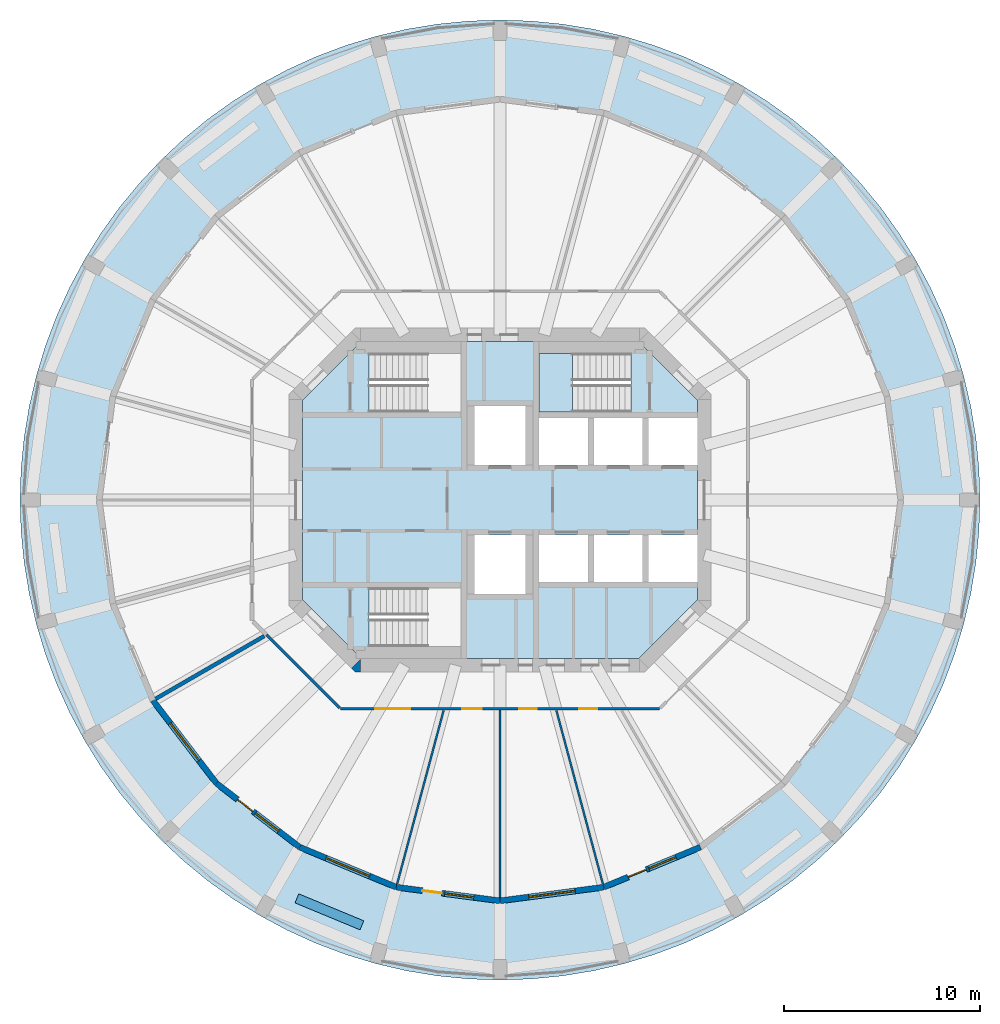
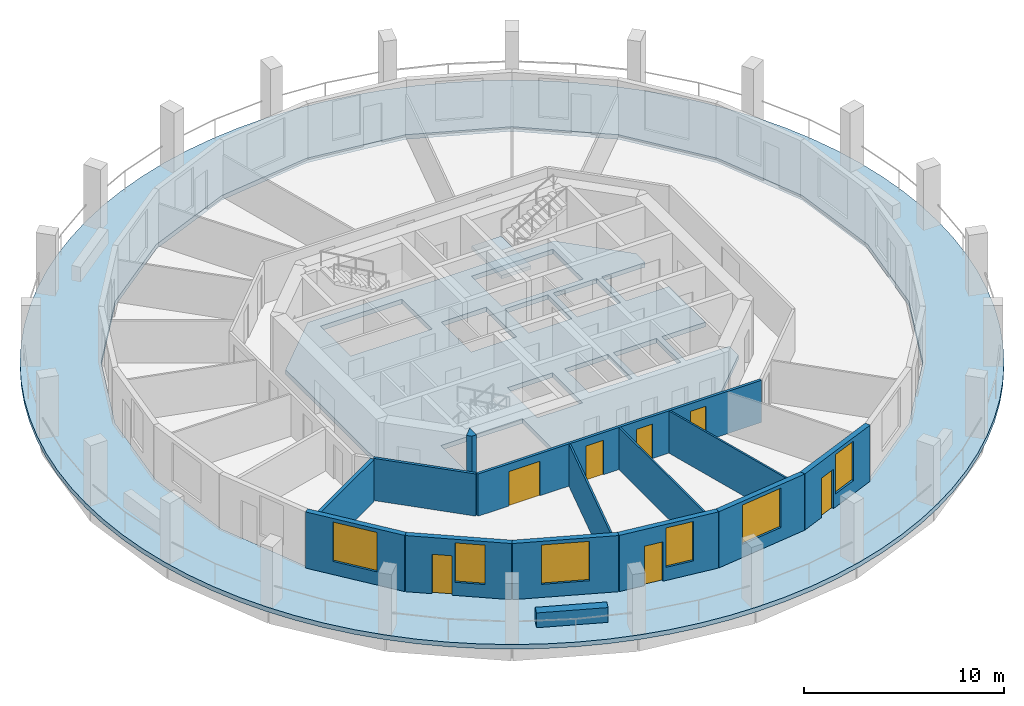
# One storey, part 2 of 9: 14 walls, 7 doors, 6 windows, 3 slabs, 13 openings, 1 element without a shape of its own.
"""IFC4 building model written with IfcOpenShell, lengths in metres."""

from ifc_helpers import new_model, si_unit, direction, frame, frame_2d, origin, place, context, subcontext, project, spatial, polyline, rectangle, outline, extrude, material, layer, layer_set, type_object, element, fill, aggregate, save


model = new_model("IFC4")

# Units and contexts
model_context = context("Model", 3, precision=1e-05, world=origin(), true_north=direction((0.0, 1.0)))
body_context = subcontext(model_context, "Body", "Model", "MODEL_VIEW")
ifc_project = project(units=[si_unit("LENGTHUNIT", "METRE"), si_unit("AREAUNIT", "SQUARE_METRE"), si_unit("VOLUMEUNIT", "CUBIC_METRE"), si_unit("PLANEANGLEUNIT", "RADIAN"), si_unit("MASSUNIT", "GRAM", prefix="KILO")], contexts=[model_context])

# Site, building, storey
site_placement = place(None, origin())
site = spatial("IfcSite", under=ifc_project, at=site_placement, CompositionType="ELEMENT")
building_placement = place(site_placement, origin())
building = spatial("IfcBuilding", under=site, at=building_placement, Name="Torre Triforio", CompositionType="ELEMENT")
storey_placement = place(building_placement, frame((0.0, 0.0, 240.89990234375)))
storey = spatial("IfcBuildingStorey", under=building, at=storey_placement, Name="L55", CompositionType="ELEMENT", Elevation=240.89990234375)

# Slabs
ifc_material_1 = material(Name="Concrete C50", Category="concrete")
ifc_layer_1 = layer(ifc_material_1, 0.280029296875)
ifc_layer_set_1 = layer_set([ifc_layer_1], Name="Concrete C50")
slab_type_1 = type_object("IfcSlabType", Name="Core floor slab 280 mm C50 REI 120", PredefinedType="FLOOR", material=ifc_layer_set_1)
slab_1_placement = place(storey_placement, frame((0.0, 0.0, -0.27978515625)))
element("IfcSlab", 1, at=slab_1_placement, inside=storey, type_object=slab_type_1, Name="Core floor slab", PredefinedType="FLOOR", context=body_context, shape_type="SweptSolid", body=[
    extrude(outline(polyline([(10.10009765625, -5.10009765625), (7.10009765625, -8.10009765625), (-7.10009765625, -8.10009765625), (-10.10009765625, -5.10009765625), (-10.10009765625, 5.10009765625), (-7.10009765625, 8.10009765625), (7.10009765625, 8.10009765625), (10.10009765625, 5.10009765625), (10.10009765625, 4.199951171875), (7.60009765625, 4.199951171875), (7.60009765625, 1.800048828125), (10.10009765625, 1.800048828125), (10.10009765625, -1.800048828125), (7.60009765625, -1.800048828125), (7.60009765625, -4.199951171875), (10.10009765625, -4.199951171875), (10.10009765625, -5.10009765625)]), holes=[polyline([(-6.696044921875, -4.5), (-6.696044921875, -7.5), (-2.0, -7.5), (-2.0, -4.5), (-6.696044921875, -4.5)]), polyline([(-1.300048828125, -1.800048828125), (-1.300048828125, -4.800048828125), (1.300048828125, -4.800048828125), (1.300048828125, -1.800048828125), (-1.300048828125, -1.800048828125)]), polyline([(2.0, -1.800048828125), (2.0, -4.199951171875), (4.5, -4.199951171875), (4.5, -1.800048828125), (2.0, -1.800048828125)]), polyline([(4.5, 4.199951171875), (2.0, 4.199951171875), (2.0, 1.800048828125), (4.5, 1.800048828125), (4.5, 4.199951171875)]), polyline([(1.300048828125, 4.800048828125), (-1.300048828125, 4.800048828125), (-1.300048828125, 1.800048828125), (1.300048828125, 1.800048828125), (1.300048828125, 4.800048828125)]), polyline([(-6.696044921875, 7.5), (-6.696044921875, 4.5), (-2.0, 4.5), (-2.0, 7.5), (-6.696044921875, 7.5)]), polyline([(7.300048828125, -1.800048828125), (4.800048828125, -1.800048828125), (4.800048828125, -4.199951171875), (7.300048828125, -4.199951171875), (7.300048828125, -1.800048828125)]), polyline([(4.800048828125, 4.199951171875), (4.800048828125, 1.800048828125), (7.300048828125, 1.800048828125), (7.300048828125, 4.199951171875), (4.800048828125, 4.199951171875)]), polyline([(6.696044921875, 7.5), (2.0, 7.5), (2.0, 4.5), (6.696044921875, 4.5), (6.696044921875, 7.5)])]), origin(), (0.0, 0.0, 1.0), 0.27978515625),
])
ifc_material_2 = material(Name="Concrete C40", Category="concrete")
ifc_layer_2 = layer(ifc_material_2, 0.280029296875)
ifc_layer_set_2 = layer_set([ifc_layer_2], Name="Concrete C40")
slab_type_2 = type_object("IfcSlabType", Name="Loggia slab 280 C40", PredefinedType="FLOOR", material=ifc_layer_set_2)
slab_2_placement = place(storey_placement, frame((0.0, 0.0, -0.27978515625)))
element("IfcSlab", 2, at=slab_2_placement, inside=storey, type_object=slab_type_2, Name="SL.L55.LG", PredefinedType="FLOOR", context=body_context, shape_type="SweptSolid", body=[
    extrude(outline(polyline([(24.49755859375, -1.605712890625), (24.550048828125, 0.0), (24.49755859375, 1.605712890625), (24.340087890625, 3.204345703125), (24.078369140625, 4.78955078125), (23.71337890625, 6.35400390625), (23.2470703125, 7.891357421875), (22.68115234375, 9.394775390625), (22.018310546875, 10.858154296875), (21.260986328125, 12.27490234375), (20.41259765625, 13.63916015625), (19.476806640625, 14.945068359375), (18.457763671875, 16.18701171875), (17.359375, 17.359375), (16.18701171875, 18.457763671875), (14.945068359375, 19.476806640625), (13.63916015625, 20.41259765625), (12.27490234375, 21.260986328125), (10.858154296875, 22.018310546875), (9.394775390625, 22.68115234375), (7.891357421875, 23.2470703125), (6.35400390625, 23.71337890625), (4.78955078125, 24.078369140625), (3.204345703125, 24.340087890625), (1.605712890625, 24.49755859375), (0.0, 24.550048828125), (-1.605712890625, 24.49755859375), (-3.204345703125, 24.340087890625), (-4.78955078125, 24.078369140625), (-6.35400390625, 23.71337890625), (-7.891357421875, 23.2470703125), (-9.394775390625, 22.68115234375), (-10.858154296875, 22.018310546875), (-12.27490234375, 21.260986328125), (-13.63916015625, 20.41259765625), (-14.945068359375, 19.476806640625), (-16.18701171875, 18.457763671875), (-17.359375, 17.359375), (-18.457763671875, 16.18701171875), (-19.476806640625, 14.945068359375), (-20.41259765625, 13.63916015625), (-21.260986328125, 12.27490234375), (-22.018310546875, 10.858154296875), (-22.68115234375, 9.394775390625), (-23.2470703125, 7.891357421875), (-23.71337890625, 6.35400390625), (-24.078369140625, 4.78955078125), (-24.340087890625, 3.204345703125), (-24.49755859375, 1.605712890625), (-24.550048828125, 0.0), (-24.49755859375, -1.605712890625), (-24.340087890625, -3.204345703125), (-24.078369140625, -4.78955078125), (-23.71337890625, -6.35400390625), (-23.2470703125, -7.891357421875), (-22.68115234375, -9.394775390625), (-22.018310546875, -10.858154296875), (-21.260986328125, -12.27490234375), (-20.41259765625, -13.63916015625), (-19.476806640625, -14.945068359375), (-18.457763671875, -16.18701171875), (-17.359375, -17.359375), (-16.18701171875, -18.457763671875), (-14.945068359375, -19.476806640625), (-13.63916015625, -20.41259765625), (-12.27490234375, -21.260986328125), (-10.858154296875, -22.018310546875), (-9.394775390625, -22.68115234375), (-7.891357421875, -23.2470703125), (-6.35400390625, -23.71337890625), (-4.78955078125, -24.078369140625), (-3.204345703125, -24.340087890625), (-1.605712890625, -24.49755859375), (0.0, -24.550048828125), (1.605712890625, -24.49755859375), (3.204345703125, -24.340087890625), (4.78955078125, -24.078369140625), (6.35400390625, -23.71337890625), (7.891357421875, -23.2470703125), (9.394775390625, -22.68115234375), (10.858154296875, -22.018310546875), (12.27490234375, -21.260986328125), (13.63916015625, -20.41259765625), (14.945068359375, -19.476806640625), (16.18701171875, -18.457763671875), (17.359375, -17.359375), (18.457763671875, -16.18701171875), (19.476806640625, -14.945068359375), (20.41259765625, -13.63916015625), (21.260986328125, -12.27490234375), (22.018310546875, -10.858154296875), (22.68115234375, -9.394775390625), (23.2470703125, -7.891357421875), (23.71337890625, -6.35400390625), (24.078369140625, -4.78955078125), (24.340087890625, -3.204345703125), (24.49755859375, -1.605712890625)]), holes=[polyline([(19.801513671875, 5.305908203125), (20.5, 0.0), (19.801513671875, -5.305908203125), (17.75341796875, -10.25), (14.49560546875, -14.49560546875), (10.25, -17.75341796875), (5.305908203125, -19.801513671875), (0.0, -20.5), (-5.305908203125, -19.801513671875), (-10.25, -17.75341796875), (-14.49560546875, -14.49560546875), (-17.75341796875, -10.25), (-19.801513671875, -5.305908203125), (-20.5, 0.0), (-19.801513671875, 5.305908203125), (-17.75341796875, 10.25), (-14.49560546875, 14.49560546875), (-10.25, 17.75341796875), (-5.305908203125, 19.801513671875), (0.0, 20.5), (5.305908203125, 19.801513671875), (10.25, 17.75341796875), (14.49560546875, 14.49560546875), (17.75341796875, 10.25), (19.801513671875, 5.305908203125)])]), origin(), (0.0, 0.0, 1.0), 0.27978515625),
])

# Stair, slab
stair_type = type_object("IfcStairType", Name="STAIR HALF-TURN", PredefinedType="HALF_TURN_STAIR", material=ifc_material_2)
stair_placement = place(storey_placement, origin())
stair = element("IfcStair", 3, at=stair_placement, inside=storey, type_object=stair_type, Name="Exit stair 2", PredefinedType="HALF_TURN_STAIR")
ifc_layer_3 = layer(ifc_material_2, 0.199951171875)
ifc_layer_set_3 = layer_set([ifc_layer_3], Name="Concrete C40")
slab_type_3 = type_object("IfcSlabType", Name="STAIR LANDING 200", PredefinedType="LANDING", material=ifc_layer_set_3)
slab_3_placement = place(storey_placement, frame((0.0, 0.0, 1.650146484375)))
slab_3 = element("IfcSlab", 4, at=slab_3_placement, type_object=slab_type_3, Name="ST2 landing 1", PredefinedType="LANDING", context=body_context, shape_type="SweptSolid", body=[
    extrude(outline(polyline([(3.699951171875, 4.5), (3.699951171875, 7.5), (2.0, 7.5), (2.0, 4.5), (3.699951171875, 4.5)])), origin(), (0.0, 0.0, 1.0), 0.199951171875),
])
aggregate(stair, [slab_3])

# Wall
ifc_layer_4 = layer(ifc_material_1, 0.699951171875)
ifc_layer_set_4 = layer_set([ifc_layer_4], Name="Concrete C50")
wall_type_1 = type_object("IfcWallType", Name="Core wall 700 mm C50 EI 120", PredefinedType="SHEAR", material=ifc_layer_set_4)
wall_1_placement = place(storey_placement, frame((0.0, 0.0, -0.27978515625)))
element("IfcWall", 5, at=wall_1_placement, inside=storey, type_object=wall_type_1, Name="Core wall", PredefinedType="SHEAR", context=body_context, shape_type="SweptSolid", body=[
    extrude(outline(polyline([(-7.389892578125, -8.800048828125), (-7.594970703125, -8.594970703125), (-7.594970703125, -8.594970703125), (-7.594970703125, -8.594970703125), (-7.1298828125, -8.1298828125), (-7.1298828125, -8.800048828125), (-7.1298828125, -8.800048828125), (-7.389892578125, -8.800048828125)])), origin(), (0.0, 0.0, 1.0), 3.699951171875),
])

# Wall, openings, doors
ifc_material_3 = material(Name="Plasterboard on metal studs")
ifc_layer_5 = layer(ifc_material_3, 0.14990234375)
ifc_layer_set_5 = layer_set([ifc_layer_5], Name="Plasterboard on metal studs")
wall_type_2 = type_object("IfcWallType", Name="Corridor and tenancy wall 150 mm EI 60", PredefinedType="PARTITIONING", material=ifc_layer_set_5)
wall_2_placement = place(storey_placement, frame((8.16650390625, -10.675048828125, 0.0), z_axis=(0.0, 0.0, 1.0), x_axis=(-1.0, 0.0, 0.0)))
wall_2 = element("IfcWall", 6, at=wall_2_placement, inside=storey, type_object=wall_type_2, Name="Partition 2", PredefinedType="PARTITIONING", context=body_context, shape_type="SweptSolid", body=[
    extrude(rectangle(XDim=16.3330078125, YDim=0.14990234375, at=frame_2d((8.16650390625, 0.0))), origin(), (0.0, 0.0, 1.0), 2.570068359375),
])
opening_1_placement = place(wall_2_placement, frame((12.755126953125, 0.0, 0.0)))
opening_1 = element("IfcOpeningElement", 7, at=opening_1_placement, cuts=wall_2, Name="Opening O8-01", PredefinedType="OPENING", context=body_context, shape_type="SweptSolid", body=[
    extrude(rectangle(XDim=1.800048828125, YDim=2.10009765625, at=frame_2d((0.89990234375, 1.050048828125))), frame((0.0, 0.0849609375, 0.0), z_axis=(0.0, -1.0, 0.0), x_axis=(1.0, 0.0, 0.0)), (0.0, 0.0, 1.0), 0.169921875),
])
opening_2_placement = place(wall_2_placement, frame((9.09765625, 0.0, 0.0)))
opening_2 = element("IfcOpeningElement", 8, at=opening_2_placement, cuts=wall_2, Name="Opening O8-02", PredefinedType="OPENING", context=body_context, shape_type="SweptSolid", body=[
    extrude(rectangle(XDim=1.0, YDim=2.10009765625, at=frame_2d((0.5, 1.050048828125))), frame((0.0, 0.0849609375, 0.0), z_axis=(0.0, -1.0, 0.0), x_axis=(1.0, 0.0, 0.0)), (0.0, 0.0, 1.0), 0.169921875),
])
opening_3_placement = place(wall_2_placement, frame((6.285400390625, 0.0, 0.0)))
opening_3 = element("IfcOpeningElement", 9, at=opening_3_placement, cuts=wall_2, Name="Opening O8-03", PredefinedType="OPENING", context=body_context, shape_type="SweptSolid", body=[
    extrude(rectangle(XDim=0.89990234375, YDim=2.10009765625, at=frame_2d((0.449951171875, 1.050048828125))), frame((0.0, 0.0849609375, 0.0), z_axis=(0.0, -1.0, 0.0), x_axis=(1.0, 0.0, 0.0)), (0.0, 0.0, 1.0), 0.169921875),
])
opening_4_placement = place(wall_2_placement, frame((3.200927734375, 0.0, 0.0)))
opening_4 = element("IfcOpeningElement", 10, at=opening_4_placement, cuts=wall_2, Name="Opening O8-04", PredefinedType="OPENING", context=body_context, shape_type="SweptSolid", body=[
    extrude(rectangle(XDim=0.89990234375, YDim=2.10009765625, at=frame_2d((0.449951171875, 1.050048828125))), frame((0.0, 0.0849609375, 0.0), z_axis=(0.0, -1.0, 0.0), x_axis=(1.0, 0.0, 0.0)), (0.0, 0.0, 1.0), 0.169921875),
])
ifc_material_4 = material(Name="Timber", Category="wood")
door_type_1 = type_object("IfcDoorType", Name="Door 1000 x 2100 single leaf EI 30", OperationType="NOTDEFINED", PredefinedType="DOOR", material=ifc_material_4)
door_1_placement = place(opening_2_placement, origin())
door_1 = element("IfcDoor", 11, at=door_1_placement, inside=storey, type_object=door_type_1, Name="Door O8-02", OperationType="SINGLE_SWING_LEFT", OverallHeight=2.10009765625, OverallWidth=1.0, PredefinedType="DOOR", context=body_context, shape_type="SweptSolid", body=[
    extrude(rectangle(XDim=1.0, YDim=2.10009765625, at=frame_2d((0.5, 1.050048828125))), frame((0.0, 0.02490234375, 0.0), z_axis=(0.0, -1.0, 0.0), x_axis=(1.0, 0.0, 0.0)), (0.0, 0.0, 1.0), 0.050048828125),
])
fill(opening_2, door_1)
door_type_2 = type_object("IfcDoorType", Name="Door 1800 x 2100 double leaf EI 30", OperationType="DOUBLE_DOOR_SINGLE_SWING", PredefinedType="DOOR", material=ifc_material_4)
door_2_placement = place(opening_1_placement, origin())
door_2 = element("IfcDoor", 12, at=door_2_placement, inside=storey, type_object=door_type_2, Name="Door O8-01", OperationType="DOUBLE_DOOR_SINGLE_SWING", OverallHeight=2.10009765625, OverallWidth=1.800048828125, PredefinedType="DOOR", context=body_context, shape_type="SweptSolid", body=[
    extrude(rectangle(XDim=1.800048828125, YDim=2.10009765625, at=frame_2d((0.89990234375, 1.050048828125))), frame((0.0, 0.02490234375, 0.0), z_axis=(0.0, -1.0, 0.0), x_axis=(1.0, 0.0, 0.0)), (0.0, 0.0, 1.0), 0.050048828125),
])
fill(opening_1, door_2)
door_type_3 = type_object("IfcDoorType", Name="Door 900 x 2100 single leaf EI 30", OperationType="NOTDEFINED", PredefinedType="DOOR", material=ifc_material_4)
door_3_placement = place(opening_3_placement, origin())
door_3 = element("IfcDoor", 13, at=door_3_placement, inside=storey, type_object=door_type_3, Name="Door O8-03", OperationType="SINGLE_SWING_LEFT", OverallHeight=2.10009765625, OverallWidth=0.89990234375, PredefinedType="DOOR", context=body_context, shape_type="SweptSolid", body=[
    extrude(rectangle(XDim=0.89990234375, YDim=2.10009765625, at=frame_2d((0.449951171875, 1.050048828125))), frame((0.0, 0.02490234375, 0.0), z_axis=(0.0, -1.0, 0.0), x_axis=(1.0, 0.0, 0.0)), (0.0, 0.0, 1.0), 0.050048828125),
])
fill(opening_3, door_3)
door_4_placement = place(opening_4_placement, origin())
door_4 = element("IfcDoor", 14, at=door_4_placement, inside=storey, type_object=door_type_3, Name="Door O8-04", OperationType="SINGLE_SWING_LEFT", OverallHeight=2.10009765625, OverallWidth=0.89990234375, PredefinedType="DOOR", context=body_context, shape_type="SweptSolid", body=[
    extrude(rectangle(XDim=0.89990234375, YDim=2.10009765625, at=frame_2d((0.449951171875, 1.050048828125))), frame((0.0, 0.02490234375, 0.0), z_axis=(0.0, -1.0, 0.0), x_axis=(1.0, 0.0, 0.0)), (0.0, 0.0, 1.0), 0.050048828125),
])
fill(opening_4, door_4)

# Walls
wall_3_placement = place(storey_placement, frame((-8.20361328125, -10.637939453125, 0.0), z_axis=(0.0, 0.0, 1.0), x_axis=(-0.707106781187, 0.707106781187, 0.0)))
element("IfcWall", 15, at=wall_3_placement, inside=storey, type_object=wall_type_2, Name="Partition 3", PredefinedType="PARTITIONING", context=body_context, shape_type="SweptSolid", body=[
    extrude(rectangle(XDim=5.291259765625, YDim=0.14990234375, at=frame_2d((2.6455078125, 0.0))), origin(), (0.0, 0.0, 1.0), 2.570068359375),
])
ifc_layer_6 = layer(ifc_material_3, 0.10009765625)
ifc_layer_set_6 = layer_set([ifc_layer_6], Name="Plasterboard on metal studs")
wall_type_3 = type_object("IfcWallType", Name="Partition 100 mm board on metal studs", PredefinedType="PARTITIONING", material=ifc_layer_set_6)
wall_4_placement = place(storey_placement, frame((-2.88427734375, -10.764404296875, 0.0), z_axis=(0.0, 0.0, 1.0), x_axis=(-0.258811310764, -0.965927898666, 0.0)))
element("IfcWall", 16, at=wall_4_placement, inside=storey, type_object=wall_type_3, Name="Partition 22", PredefinedType="PARTITIONING", context=body_context, shape_type="SweptSolid", body=[
    extrude(rectangle(XDim=9.192626953125, YDim=0.10009765625, at=frame_2d((4.59619140625, 0.0))), origin(), (0.0, 0.0, 1.0), 2.570068359375),
])
wall_5_placement = place(storey_placement, frame((0.0, -10.75, 0.0), z_axis=(0.0, 0.0, 1.0), x_axis=(0.0, -1.0, 0.0)))
element("IfcWall", 17, at=wall_5_placement, inside=storey, type_object=wall_type_3, Name="Partition 23", PredefinedType="PARTITIONING", context=body_context, shape_type="SweptSolid", body=[
    extrude(rectangle(XDim=9.586669921875, YDim=0.10009765625, at=frame_2d((4.79345703125, 0.0))), origin(), (0.0, 0.0, 1.0), 2.570068359375),
])
wall_6_placement = place(storey_placement, frame((2.88427734375, -10.764404296875, 0.0), z_axis=(0.0, 0.0, 1.0), x_axis=(0.258811310764, -0.965927898666, 0.0)))
element("IfcWall", 18, at=wall_6_placement, inside=storey, type_object=wall_type_3, Name="Partition 24", PredefinedType="PARTITIONING", context=body_context, shape_type="SweptSolid", body=[
    extrude(rectangle(XDim=9.192626953125, YDim=0.10009765625, at=frame_2d((4.59619140625, 0.0))), origin(), (0.0, 0.0, 1.0), 2.570068359375),
])
ifc_material_5 = material(Name="Masonry block", Category="masonry")
ifc_layer_7 = layer(ifc_material_5, 0.199951171875)
ifc_layer_set_7 = layer_set([ifc_layer_7], Name="Masonry block")
wall_type_4 = type_object("IfcWallType", Name="Plant room wall 200 mm block EI 120", PredefinedType="PARTITIONING", material=ifc_layer_set_7)
wall_7_placement = place(storey_placement, frame((-12.0576171875, -6.96142578125, 0.0), z_axis=(0.0, 0.0, 1.0), x_axis=(-0.866013799398, -0.500020098848, 0.0)))
element("IfcWall", 19, at=wall_7_placement, inside=storey, type_object=wall_type_4, Name="Partition 21", PredefinedType="PARTITIONING", context=body_context, shape_type="SweptSolid", body=[
    extrude(rectangle(XDim=6.413818359375, YDim=0.199951171875, at=frame_2d((3.20703125, 0.0))), origin(), (0.0, 0.0, 1.0), 2.570068359375),
])
ifc_material_6 = material(Name="Limestone cladding", Category="masonry")
ifc_layer_8 = layer(ifc_material_6, 0.10009765625)
ifc_layer_9 = layer(ifc_material_2, 0.39990234375)
ifc_layer_set_8 = layer_set([ifc_layer_8, ifc_layer_9], Name="Limestone cladding / Concrete C40")
wall_type_5 = type_object("IfcWallType", Name="Planter wall 500", PredefinedType="PARAPET", material=ifc_layer_set_8)
wall_8_placement = place(storey_placement, frame((-10.38818359375, -20.37548828125, 0.0), z_axis=(0.0, 0.0, 1.0), x_axis=(0.923851510231, -0.38275107713, 0.0)))
element("IfcWall", 20, at=wall_8_placement, inside=storey, type_object=wall_type_5, Name="Planter L55 bay 17", PredefinedType="PARAPET", context=body_context, shape_type="SweptSolid", body=[
    extrude(rectangle(XDim=3.60009765625, YDim=0.5, at=frame_2d((1.800048828125, 0.0))), origin(), (0.0, 0.0, 1.0), 0.900146484375),
])

# Wall, opening, window
ifc_layer_10 = layer(ifc_material_6, 0.10009765625)
ifc_layer_11 = layer(ifc_material_2, 0.199951171875)
ifc_layer_set_9 = layer_set([ifc_layer_10, ifc_layer_11], Name="Limestone cladding / Concrete C40")
wall_type_6 = type_object("IfcWallType", Name="Stone-faced composite wall 300", PredefinedType="STANDARD", material=ifc_layer_set_9)
wall_9_placement = place(storey_placement, frame((-17.75341796875, -10.25, 0.0), z_axis=(0.0, 0.0, 1.0), x_axis=(0.60876670321, -0.793349293227, 0.0)))
wall_9 = element("IfcWall", 21, at=wall_9_placement, inside=storey, type_object=wall_type_6, Name="External wall L55 bay 15", PredefinedType="STANDARD", context=body_context, shape_type="SweptSolid", body=[
    extrude(rectangle(XDim=5.3515625, YDim=0.300048828125, at=frame_2d((2.67578125, 0.0))), origin(), (0.0, 0.0, 1.0), 3.420166015625),
])
opening_5_placement = place(wall_9_placement, frame((1.475830078125, 0.0, 0.800048828125)))
opening_5 = element("IfcOpeningElement", 22, at=opening_5_placement, cuts=wall_9, Name="Opening O8-W15", PredefinedType="OPENING", context=body_context, shape_type="SweptSolid", body=[
    extrude(rectangle(XDim=2.39990234375, YDim=2.39990234375, at=frame_2d((1.199951171875, 1.199951171875))), frame((0.0, 0.159912109375, 0.0), z_axis=(0.0, -1.0, 0.0), x_axis=(1.0, 0.0, 0.0)), (0.0, 0.0, 1.0), 0.320068359375),
])
ifc_material_7 = material(Name="Aluminium frame with clear double glazing", Category="aluminium")
window_type_1 = type_object("IfcWindowType", Name="Punched window 2400 x 2400", PartitioningType="DOUBLE_PANEL_VERTICAL", PredefinedType="WINDOW", material=ifc_material_7)
window_1_placement = place(opening_5_placement, origin())
window_1 = element("IfcWindow", 23, at=window_1_placement, inside=storey, type_object=window_type_1, Name="Window EWN4 L55 bay 15", OverallHeight=2.39990234375, OverallWidth=2.39990234375, PartitioningType="SINGLE_PANEL", PredefinedType="WINDOW", context=body_context, shape_type="SweptSolid", body=[
    extrude(rectangle(XDim=2.39990234375, YDim=2.39990234375, at=frame_2d((1.199951171875, 1.199951171875))), frame((0.0, 0.030029296875, 0.0), z_axis=(0.0, -1.0, 0.0), x_axis=(1.0, 0.0, 0.0)), (0.0, 0.0, 1.0), 0.06005859375),
])
fill(opening_5, window_1)

# Wall, openings, door, window
wall_10_placement = place(storey_placement, frame((-14.49560546875, -14.49560546875, 0.0), z_axis=(0.0, 0.0, 1.0), x_axis=(0.793349293227, -0.60876670321, 0.0)))
wall_10 = element("IfcWall", 24, at=wall_10_placement, inside=storey, type_object=wall_type_6, Name="External wall L55 bay 16", PredefinedType="STANDARD", context=body_context, shape_type="SweptSolid", body=[
    extrude(rectangle(XDim=5.3515625, YDim=0.300048828125, at=frame_2d((2.67578125, 0.0))), origin(), (0.0, 0.0, 1.0), 3.420166015625),
])
opening_6_placement = place(wall_10_placement, frame((1.350830078125, 0.0, 0.0)))
opening_6 = element("IfcOpeningElement", 25, at=opening_6_placement, cuts=wall_10, Name="Opening O8-D16", PredefinedType="OPENING", context=body_context, shape_type="SweptSolid", body=[
    extrude(rectangle(XDim=1.0, YDim=2.39990234375, at=frame_2d((0.5, 1.199951171875))), frame((0.0, 0.159912109375, 0.0), z_axis=(0.0, -1.0, 0.0), x_axis=(1.0, 0.0, 0.0)), (0.0, 0.0, 1.0), 0.320068359375),
])
opening_7_placement = place(wall_10_placement, frame((2.500732421875, 0.0, 0.800048828125)))
opening_7 = element("IfcOpeningElement", 26, at=opening_7_placement, cuts=wall_10, Name="Opening O8-W16A", PredefinedType="OPENING", context=body_context, shape_type="SweptSolid", body=[
    extrude(rectangle(XDim=1.5, YDim=2.39990234375, at=frame_2d((0.75, 1.199951171875))), frame((0.0, 0.159912109375, 0.0), z_axis=(0.0, -1.0, 0.0), x_axis=(1.0, 0.0, 0.0)), (0.0, 0.0, 1.0), 0.320068359375),
])
door_type_4 = type_object("IfcDoorType", Name="Loggia door 1000 x 2400", OperationType="NOTDEFINED", PredefinedType="DOOR", material=ifc_material_7)
door_5_placement = place(opening_6_placement, origin())
door_5 = element("IfcDoor", 27, at=door_5_placement, inside=storey, type_object=door_type_4, Name="Loggia door L55 bay 16", OperationType="SINGLE_SWING_LEFT", OverallHeight=2.39990234375, OverallWidth=1.0, PredefinedType="DOOR", context=body_context, shape_type="SweptSolid", body=[
    extrude(rectangle(XDim=1.0, YDim=2.39990234375, at=frame_2d((0.5, 1.199951171875))), frame((0.0, 0.02490234375, 0.0), z_axis=(0.0, -1.0, 0.0), x_axis=(1.0, 0.0, 0.0)), (0.0, 0.0, 1.0), 0.050048828125),
])
fill(opening_6, door_5)
window_type_2 = type_object("IfcWindowType", Name="Side window 1500 x 2400", PartitioningType="SINGLE_PANEL", PredefinedType="WINDOW", material=ifc_material_7)
window_2_placement = place(opening_7_placement, origin())
window_2 = element("IfcWindow", 28, at=window_2_placement, inside=storey, type_object=window_type_2, Name="Side window EWN14 L55 bay 16", OverallHeight=2.39990234375, OverallWidth=1.5, PartitioningType="SINGLE_PANEL", PredefinedType="WINDOW", context=body_context, shape_type="SweptSolid", body=[
    extrude(rectangle(XDim=1.5, YDim=2.39990234375, at=frame_2d((0.75, 1.199951171875))), frame((0.0, 0.030029296875, 0.0), z_axis=(0.0, -1.0, 0.0), x_axis=(1.0, 0.0, 0.0)), (0.0, 0.0, 1.0), 0.06005859375),
])
fill(opening_7, window_2)

# Wall, opening, window
wall_11_placement = place(storey_placement, frame((-10.25, -17.75341796875, 0.0), z_axis=(0.0, 0.0, 1.0), x_axis=(0.923867255172, -0.382713071139, 0.0)))
wall_11 = element("IfcWall", 29, at=wall_11_placement, inside=storey, type_object=wall_type_6, Name="External wall L55 bay 17", PredefinedType="STANDARD", context=body_context, shape_type="SweptSolid", body=[
    extrude(rectangle(XDim=5.3515625, YDim=0.300048828125, at=frame_2d((2.67578125, 0.0))), origin(), (0.0, 0.0, 1.0), 3.420166015625),
])
opening_8_placement = place(wall_11_placement, frame((1.475830078125, 0.0, 0.800048828125)))
opening_8 = element("IfcOpeningElement", 30, at=opening_8_placement, cuts=wall_11, Name="Opening O8-W17", PredefinedType="OPENING", context=body_context, shape_type="SweptSolid", body=[
    extrude(rectangle(XDim=2.39990234375, YDim=2.39990234375, at=frame_2d((1.199951171875, 1.199951171875))), frame((0.0, 0.159912109375, 0.0), z_axis=(0.0, -1.0, 0.0), x_axis=(1.0, 0.0, 0.0)), (0.0, 0.0, 1.0), 0.320068359375),
])
window_3_placement = place(opening_8_placement, origin())
window_3 = element("IfcWindow", 31, at=window_3_placement, inside=storey, type_object=window_type_1, Name="Window EWN4 L55 bay 17", OverallHeight=2.39990234375, OverallWidth=2.39990234375, PartitioningType="SINGLE_PANEL", PredefinedType="WINDOW", context=body_context, shape_type="SweptSolid", body=[
    extrude(rectangle(XDim=2.39990234375, YDim=2.39990234375, at=frame_2d((1.199951171875, 1.199951171875))), frame((0.0, 0.030029296875, 0.0), z_axis=(0.0, -1.0, 0.0), x_axis=(1.0, 0.0, 0.0)), (0.0, 0.0, 1.0), 0.06005859375),
])
fill(opening_8, window_3)

# Wall, openings, door, window
wall_12_placement = place(storey_placement, frame((-5.305908203125, -19.801513671875, 0.0), z_axis=(0.0, 0.0, 1.0), x_axis=(0.991446064069, -0.130517056518, 0.0)))
wall_12 = element("IfcWall", 32, at=wall_12_placement, inside=storey, type_object=wall_type_6, Name="External wall L55 bay 18", PredefinedType="STANDARD", context=body_context, shape_type="SweptSolid", body=[
    extrude(rectangle(XDim=5.351806640625, YDim=0.300048828125, at=frame_2d((2.67578125, 0.0))), origin(), (0.0, 0.0, 1.0), 3.420166015625),
])
opening_9_placement = place(wall_12_placement, frame((1.350830078125, 0.0, 0.0)))
opening_9 = element("IfcOpeningElement", 33, at=opening_9_placement, cuts=wall_12, Name="Opening O8-D18", PredefinedType="OPENING", context=body_context, shape_type="SweptSolid", body=[
    extrude(rectangle(XDim=1.0, YDim=2.39990234375, at=frame_2d((0.5, 1.199951171875))), frame((0.0, 0.159912109375, 0.0), z_axis=(0.0, -1.0, 0.0), x_axis=(1.0, 0.0, 0.0)), (0.0, 0.0, 1.0), 0.320068359375),
])
opening_10_placement = place(wall_12_placement, frame((2.500732421875, 0.0, 0.800048828125)))
opening_10 = element("IfcOpeningElement", 34, at=opening_10_placement, cuts=wall_12, Name="Opening O8-W18A", PredefinedType="OPENING", context=body_context, shape_type="SweptSolid", body=[
    extrude(rectangle(XDim=1.5, YDim=2.39990234375, at=frame_2d((0.75, 1.199951171875))), frame((0.0, 0.159912109375, 0.0), z_axis=(0.0, -1.0, 0.0), x_axis=(1.0, 0.0, 0.0)), (0.0, 0.0, 1.0), 0.320068359375),
])
door_6_placement = place(opening_9_placement, origin())
door_6 = element("IfcDoor", 35, at=door_6_placement, inside=storey, type_object=door_type_4, Name="Loggia door L55 bay 18", OperationType="SINGLE_SWING_LEFT", OverallHeight=2.39990234375, OverallWidth=1.0, PredefinedType="DOOR", context=body_context, shape_type="SweptSolid", body=[
    extrude(rectangle(XDim=1.0, YDim=2.39990234375, at=frame_2d((0.5, 1.199951171875))), frame((0.0, 0.02490234375, 0.0), z_axis=(0.0, -1.0, 0.0), x_axis=(1.0, 0.0, 0.0)), (0.0, 0.0, 1.0), 0.050048828125),
])
fill(opening_9, door_6)
window_4_placement = place(opening_10_placement, origin())
window_4 = element("IfcWindow", 36, at=window_4_placement, inside=storey, type_object=window_type_2, Name="Side window EWN14 L55 bay 18", OverallHeight=2.39990234375, OverallWidth=1.5, PartitioningType="SINGLE_PANEL", PredefinedType="WINDOW", context=body_context, shape_type="SweptSolid", body=[
    extrude(rectangle(XDim=1.5, YDim=2.39990234375, at=frame_2d((0.75, 1.199951171875))), frame((0.0, 0.030029296875, 0.0), z_axis=(0.0, -1.0, 0.0), x_axis=(1.0, 0.0, 0.0)), (0.0, 0.0, 1.0), 0.06005859375),
])
fill(opening_10, window_4)

# Wall, opening, window
wall_13_placement = place(storey_placement, frame((0.0, -20.5, 0.0), z_axis=(0.0, 0.0, 1.0), x_axis=(0.991446064069, 0.130517056518, 0.0)))
wall_13 = element("IfcWall", 37, at=wall_13_placement, inside=storey, type_object=wall_type_6, Name="External wall L55 bay 19", PredefinedType="STANDARD", context=body_context, shape_type="SweptSolid", body=[
    extrude(rectangle(XDim=5.351806640625, YDim=0.300048828125, at=frame_2d((2.67578125, 0.0))), origin(), (0.0, 0.0, 1.0), 3.420166015625),
])
opening_11_placement = place(wall_13_placement, frame((1.475830078125, 0.0, 0.800048828125)))
opening_11 = element("IfcOpeningElement", 38, at=opening_11_placement, cuts=wall_13, Name="Opening O8-W19", PredefinedType="OPENING", context=body_context, shape_type="SweptSolid", body=[
    extrude(rectangle(XDim=2.39990234375, YDim=2.39990234375, at=frame_2d((1.199951171875, 1.199951171875))), frame((0.0, 0.159912109375, 0.0), z_axis=(0.0, -1.0, 0.0), x_axis=(1.0, 0.0, 0.0)), (0.0, 0.0, 1.0), 0.320068359375),
])
window_5_placement = place(opening_11_placement, origin())
window_5 = element("IfcWindow", 39, at=window_5_placement, inside=storey, type_object=window_type_1, Name="Window EWN4 L55 bay 19", OverallHeight=2.39990234375, OverallWidth=2.39990234375, PartitioningType="SINGLE_PANEL", PredefinedType="WINDOW", context=body_context, shape_type="SweptSolid", body=[
    extrude(rectangle(XDim=2.39990234375, YDim=2.39990234375, at=frame_2d((1.199951171875, 1.199951171875))), frame((0.0, 0.030029296875, 0.0), z_axis=(0.0, -1.0, 0.0), x_axis=(1.0, 0.0, 0.0)), (0.0, 0.0, 1.0), 0.06005859375),
])
fill(opening_11, window_5)

# Wall, openings, door, window
wall_14_placement = place(storey_placement, frame((5.305908203125, -19.801513671875, 0.0), z_axis=(0.0, 0.0, 1.0), x_axis=(0.923867255172, 0.382713071139, 0.0)))
wall_14 = element("IfcWall", 40, at=wall_14_placement, inside=storey, type_object=wall_type_6, Name="External wall L55 bay 20", PredefinedType="STANDARD", context=body_context, shape_type="SweptSolid", body=[
    extrude(rectangle(XDim=5.3515625, YDim=0.300048828125, at=frame_2d((2.67578125, 0.0))), origin(), (0.0, 0.0, 1.0), 3.420166015625),
])
opening_12_placement = place(wall_14_placement, frame((1.350830078125, 0.0, 0.0)))
opening_12 = element("IfcOpeningElement", 41, at=opening_12_placement, cuts=wall_14, Name="Opening O8-D20", PredefinedType="OPENING", context=body_context, shape_type="SweptSolid", body=[
    extrude(rectangle(XDim=1.0, YDim=2.39990234375, at=frame_2d((0.5, 1.199951171875))), frame((0.0, 0.159912109375, 0.0), z_axis=(0.0, -1.0, 0.0), x_axis=(1.0, 0.0, 0.0)), (0.0, 0.0, 1.0), 0.320068359375),
])
opening_13_placement = place(wall_14_placement, frame((2.500732421875, 0.0, 0.800048828125)))
opening_13 = element("IfcOpeningElement", 42, at=opening_13_placement, cuts=wall_14, Name="Opening O8-W20A", PredefinedType="OPENING", context=body_context, shape_type="SweptSolid", body=[
    extrude(rectangle(XDim=1.5, YDim=2.39990234375, at=frame_2d((0.75, 1.199951171875))), frame((0.0, 0.159912109375, 0.0), z_axis=(0.0, -1.0, 0.0), x_axis=(1.0, 0.0, 0.0)), (0.0, 0.0, 1.0), 0.320068359375),
])
door_7_placement = place(opening_12_placement, origin())
door_7 = element("IfcDoor", 43, at=door_7_placement, inside=storey, type_object=door_type_4, Name="Loggia door L55 bay 20", OperationType="SINGLE_SWING_LEFT", OverallHeight=2.39990234375, OverallWidth=1.0, PredefinedType="DOOR", context=body_context, shape_type="SweptSolid", body=[
    extrude(rectangle(XDim=1.0, YDim=2.39990234375, at=frame_2d((0.5, 1.199951171875))), frame((0.0, 0.02490234375, 0.0), z_axis=(0.0, -1.0, 0.0), x_axis=(1.0, 0.0, 0.0)), (0.0, 0.0, 1.0), 0.050048828125),
])
fill(opening_12, door_7)
window_6_placement = place(opening_13_placement, origin())
window_6 = element("IfcWindow", 44, at=window_6_placement, inside=storey, type_object=window_type_2, Name="Side window EWN14 L55 bay 20", OverallHeight=2.39990234375, OverallWidth=1.5, PartitioningType="SINGLE_PANEL", PredefinedType="WINDOW", context=body_context, shape_type="SweptSolid", body=[
    extrude(rectangle(XDim=1.5, YDim=2.39990234375, at=frame_2d((0.75, 1.199951171875))), frame((0.0, 0.030029296875, 0.0), z_axis=(0.0, -1.0, 0.0), x_axis=(1.0, 0.0, 0.0)), (0.0, 0.0, 1.0), 0.06005859375),
])
fill(opening_13, window_6)

save(model, "model.ifc")
